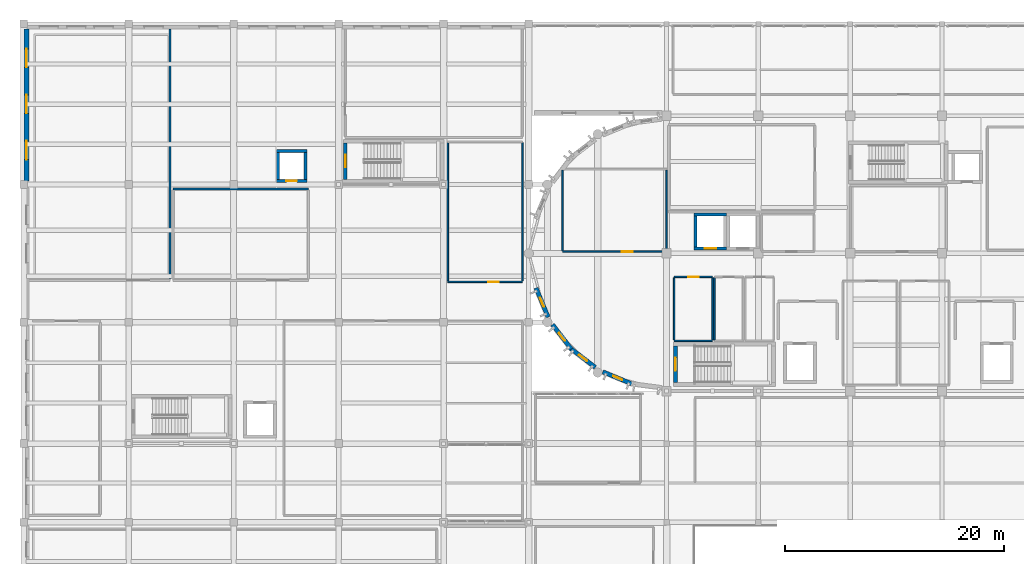
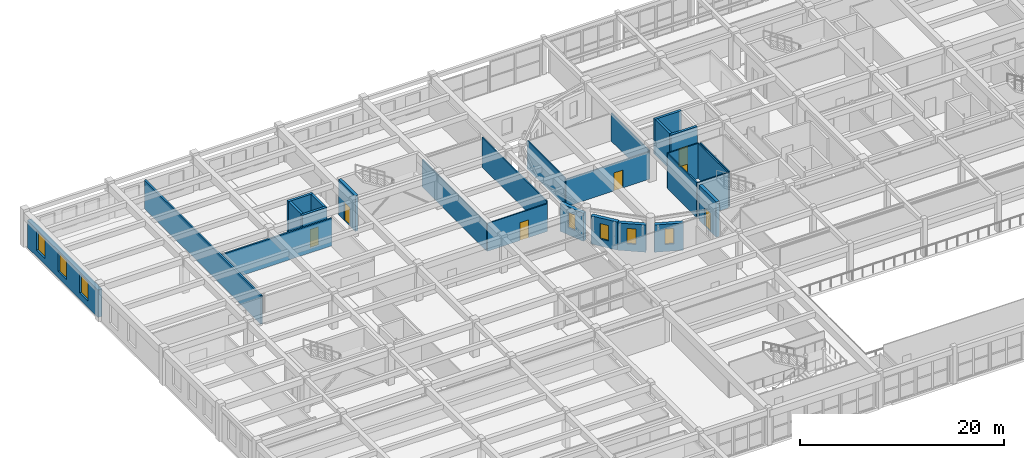
# One storey, part 67 of 92: 27 walls, 7 doors, 7 windows, 14 openings.
"""IFC4 building model written with IfcOpenShell, lengths in metres."""

from ifc_helpers import new_model, si_unit, direction, frame, frame_2d, origin, place, context, subcontext, project, spatial, rectangle, extrude, material, layer, layer_set, type_object, element, fill, save


model = new_model("IFC4")

# Units and contexts
model_context = context("Model", 3, precision=1e-05, world=origin(), true_north=direction((0.0, 1.0)))
body_context = subcontext(model_context, "Body", "Model", "MODEL_VIEW")
ifc_project = project(units=[si_unit("LENGTHUNIT", "METRE"), si_unit("AREAUNIT", "SQUARE_METRE"), si_unit("VOLUMEUNIT", "CUBIC_METRE"), si_unit("PLANEANGLEUNIT", "RADIAN"), si_unit("MASSUNIT", "GRAM", prefix="KILO")], contexts=[model_context])

# Site, building, storey
site_placement = place(None, origin())
site = spatial("IfcSite", under=ifc_project, at=site_placement, CompositionType="ELEMENT")
building_placement = place(site_placement, origin())
building = spatial("IfcBuilding", under=site, at=building_placement, Name="Tarnavel Promenade Courthouse", CompositionType="ELEMENT")
storey_placement = place(building_placement, frame((0.0, 0.0, 5.39990234375)))
storey = spatial("IfcBuildingStorey", under=building, at=storey_placement, Name="L02", CompositionType="ELEMENT", Elevation=5.39990234375)

# Wall
ifc_material_1 = material(Name="Concrete C40/50", Category="concrete")
ifc_layer_1 = layer(ifc_material_1, 0.280029296875)
ifc_layer_set_1 = layer_set([ifc_layer_1], Name="Concrete C40/50")
wall_type_1 = type_object("IfcWallType", Name="Concrete C40/50 WL-SHR-280 (280 mm)", PredefinedType="SHEAR", material=ifc_layer_set_1)
wall_1_placement = place(storey_placement, frame((61.300048828125, 95.360107421875, 0.0), z_axis=(0.0, 0.0, 1.0), x_axis=(1.0, 0.0, 0.0)))
element("IfcWall", 1, at=wall_1_placement, inside=storey, type_object=wall_type_1, Name="L02 L-PUB1 Lift Shaft North Wall", PredefinedType="SHEAR", context=body_context, shape_type="SweptSolid", body=[
    extrude(rectangle(XDim=3.0, YDim=0.280029296875, at=frame_2d((1.5, 0.0))), origin(), (0.0, 0.0, 1.0), 4.239990234375),
])

# Wall, opening, door
wall_2_placement = place(storey_placement, frame((64.300048828125, 92.239990234375, 0.0), z_axis=(0.0, 0.0, 1.0), x_axis=(-1.0, 0.0, 0.0)))
wall_2 = element("IfcWall", 2, at=wall_2_placement, inside=storey, type_object=wall_type_1, Name="L02 L-PUB1 Lift Shaft South Wall", PredefinedType="SHEAR", context=body_context, shape_type="SweptSolid", body=[
    extrude(rectangle(XDim=3.0, YDim=0.280029296875, at=frame_2d((1.5, 0.0))), origin(), (0.0, 0.0, 1.0), 4.239990234375),
])
opening_1_placement = place(wall_2_placement, frame((0.97509765625, 0.0, 0.0)))
opening_1 = element("IfcOpeningElement", 3, at=opening_1_placement, cuts=wall_2, Name="Opening LD-02", PredefinedType="OPENING", context=body_context, shape_type="SweptSolid", body=[
    extrude(rectangle(XDim=1.050048828125, YDim=2.199951171875, at=frame_2d((0.52490234375, 1.10009765625))), frame((0.0, 0.14990234375, 0.0), z_axis=(0.0, -1.0, 0.0), x_axis=(1.0, 0.0, 0.0)), (0.0, 0.0, 1.0), 0.300048828125),
])
ifc_material_2 = material(Name="Brushed Bronze Passenger Lift Landing Sliding Door")
door_type_1 = type_object("IfcDoorType", Name="Brushed Bronze Passenger Lift Landing Sliding Door (LD-PUB-1050x2200)", OperationType="NOTDEFINED", PredefinedType="DOOR", material=ifc_material_2)
door_1_placement = place(opening_1_placement, origin())
door_1 = element("IfcDoor", 4, at=door_1_placement, inside=storey, type_object=door_type_1, Name="L02 L-PUB1 Lift Sliding Landing Door", OperationType="DOUBLE_DOOR_SLIDING", OverallHeight=2.199951171875, OverallWidth=1.050048828125, PredefinedType="DOOR", context=body_context, shape_type="SweptSolid", body=[
    extrude(rectangle(XDim=1.050048828125, YDim=2.199951171875, at=frame_2d((0.52490234375, 1.10009765625))), frame((0.0, 0.02490234375, 0.0), z_axis=(0.0, -1.0, 0.0), x_axis=(1.0, 0.0, 0.0)), (0.0, 0.0, 1.0), 0.050048828125),
])
fill(opening_1, door_1)

# Walls
wall_3_placement = place(storey_placement, frame((61.43994140625, 92.3798828125, 0.0), z_axis=(0.0, 0.0, 1.0), x_axis=(0.0, 1.0, 0.0)))
element("IfcWall", 5, at=wall_3_placement, inside=storey, type_object=wall_type_1, Name="L02 L-PUB1 Lift Shaft West Wall", PredefinedType="SHEAR", context=body_context, shape_type="SweptSolid", body=[
    extrude(rectangle(XDim=2.840087890625, YDim=0.280029296875, at=frame_2d((1.419921875, 0.0))), origin(), (0.0, 0.0, 1.0), 4.239990234375),
])
wall_4_placement = place(storey_placement, frame((23.10009765625, 101.159912109375, 0.0), z_axis=(0.0, 0.0, 1.0), x_axis=(1.0, 0.0, 0.0)))
element("IfcWall", 6, at=wall_4_placement, inside=storey, type_object=wall_type_1, Name="L02 L-JUD2 Lift Shaft North Wall", PredefinedType="SHEAR", context=body_context, shape_type="SweptSolid", body=[
    extrude(rectangle(XDim=2.7998046875, YDim=0.280029296875, at=frame_2d((1.39990234375, 0.0))), origin(), (0.0, 0.0, 1.0), 4.239990234375),
])

# Wall, opening, door
wall_5_placement = place(storey_placement, frame((25.89990234375, 98.43994140625, 0.0), z_axis=(0.0, 0.0, 1.0), x_axis=(-1.0, 0.0, 0.0)))
wall_5 = element("IfcWall", 7, at=wall_5_placement, inside=storey, type_object=wall_type_1, Name="L02 L-JUD2 Lift Shaft South Wall", PredefinedType="SHEAR", context=body_context, shape_type="SweptSolid", body=[
    extrude(rectangle(XDim=2.7998046875, YDim=0.280029296875, at=frame_2d((1.39990234375, 0.0))), origin(), (0.0, 0.0, 1.0), 4.239990234375),
])
opening_2_placement = place(wall_5_placement, frame((0.925048828125, 0.0, 0.0)))
opening_2 = element("IfcOpeningElement", 8, at=opening_2_placement, cuts=wall_5, Name="Opening LD-03", PredefinedType="OPENING", context=body_context, shape_type="SweptSolid", body=[
    extrude(rectangle(XDim=0.949951171875, YDim=2.14990234375, at=frame_2d((0.47509765625, 1.074951171875))), frame((0.0, 0.14990234375, 0.0), z_axis=(0.0, -1.0, 0.0), x_axis=(1.0, 0.0, 0.0)), (0.0, 0.0, 1.0), 0.300048828125),
])
ifc_material_3 = material(Name="Stainless Steel Judicial Lift Landing Sliding Door", Category="steel")
door_type_2 = type_object("IfcDoorType", Name="Stainless Steel Judicial Lift Landing Sliding Door (LD-JUD-0950x2150)", OperationType="NOTDEFINED", PredefinedType="DOOR", material=ifc_material_3)
door_2_placement = place(opening_2_placement, origin())
door_2 = element("IfcDoor", 9, at=door_2_placement, inside=storey, type_object=door_type_2, Name="L02 L-JUD2 Lift Sliding Landing Door", OperationType="DOUBLE_DOOR_SLIDING", OverallHeight=2.14990234375, OverallWidth=0.949951171875, PredefinedType="DOOR", context=body_context, shape_type="SweptSolid", body=[
    extrude(rectangle(XDim=0.949951171875, YDim=2.14990234375, at=frame_2d((0.47509765625, 1.074951171875))), frame((0.0, 0.02490234375, 0.0), z_axis=(0.0, -1.0, 0.0), x_axis=(1.0, 0.0, 0.0)), (0.0, 0.0, 1.0), 0.050048828125),
])
fill(opening_2, door_2)

# Walls
for number, where, z_axis, x_axis, name in (
    (10, (23.239990234375, 98.580078125, 0.0), (0.0, 0.0, 1.0), (0.0, 1.0, 0.0), "L02 L-JUD2 Lift Shaft West Wall"),
    (11, (25.760009765625, 101.02001953125, 0.0), (0.0, 0.0, 1.0), (0.0, -1.0, 0.0), "L02 L-JUD2 Lift Shaft East Wall"),
):
    element("IfcWall", number, at=place(storey_placement, frame(where, z_axis=z_axis, x_axis=x_axis)), inside=storey, type_object=wall_type_1, Name=name, PredefinedType="SHEAR", context=body_context, shape_type="SweptSolid", body=[
        extrude(rectangle(XDim=2.43994140625, YDim=0.280029296875, at=frame_2d((1.219970703125, 0.0))), origin(), (0.0, 0.0, 1.0), 4.239990234375),
    ])

# Wall, opening, door
ifc_layer_2 = layer(ifc_material_1, 0.320068359375)
ifc_layer_set_2 = layer_set([ifc_layer_2], Name="Concrete C40/50")
wall_type_2 = type_object("IfcWallType", Name="Concrete C40/50 WL-SHR-320 (320 mm)", PredefinedType="SHEAR", material=ifc_layer_set_2)
wall_6_placement = place(storey_placement, frame((29.419921875, 98.580078125, 0.0), z_axis=(0.0, 0.0, 1.0), x_axis=(0.0, 1.0, 0.0)))
wall_6 = element("IfcWall", 12, at=wall_6_placement, inside=storey, type_object=wall_type_2, Name="L02 ST-07 Shear Core West Landing Wall", PredefinedType="SHEAR", context=body_context, shape_type="SweptSolid", body=[
    extrude(rectangle(XDim=3.31982421875, YDim=0.320068359375, at=frame_2d((1.659912109375, 0.0))), origin(), (0.0, 0.0, 1.0), 4.239990234375),
])
opening_3_placement = place(wall_6_placement, frame((1.0849609375, 0.0, 0.0)))
opening_3 = element("IfcOpeningElement", 13, at=opening_3_placement, cuts=wall_6, Name="Opening FD-01", PredefinedType="OPENING", context=body_context, shape_type="SweptSolid", body=[
    extrude(rectangle(XDim=1.14990234375, YDim=2.199951171875, at=frame_2d((0.574951171875, 1.10009765625))), frame((0.0, 0.169921875, 0.0), z_axis=(0.0, -1.0, 0.0), x_axis=(1.0, 0.0, 0.0)), (0.0, 0.0, 1.0), 0.340087890625),
])
ifc_material_4 = material(Name="Steel Fire-Rated Stair Core Door", Category="steel")
door_type_3 = type_object("IfcDoorType", Name="Steel Fire-Rated Stair Core Door (DR-ST-1150x2200)", OperationType="NOTDEFINED", PredefinedType="DOOR", material=ifc_material_4)
door_3_placement = place(opening_3_placement, origin())
door_3 = element("IfcDoor", 14, at=door_3_placement, inside=storey, type_object=door_type_3, Name="L02 ST-07 Protected Exit Stair Door", OperationType="SINGLE_SWING_LEFT", OverallHeight=2.199951171875, OverallWidth=1.14990234375, PredefinedType="DOOR", context=body_context, shape_type="SweptSolid", body=[
    extrude(rectangle(XDim=1.14990234375, YDim=2.199951171875, at=frame_2d((0.574951171875, 1.10009765625))), frame((0.0, 0.02490234375, 0.0), z_axis=(0.0, -1.0, 0.0), x_axis=(1.0, 0.0, 0.0)), (0.0, 0.0, 1.0), 0.050048828125),
])
fill(opening_3, door_3)

ifc_layer_3 = layer(ifc_material_1, 0.360107421875)
ifc_layer_set_3 = layer_set([ifc_layer_3], Name="Concrete C40/50")
wall_type_3 = type_object("IfcWallType", Name="Concrete C40/50 WL-SHR-360 (360 mm)", PredefinedType="SHEAR", material=ifc_layer_set_3)
wall_7_placement = place(storey_placement, frame((59.60009765625, 79.97998046875, 0.0), z_axis=(0.0, 0.0, 1.0), x_axis=(0.0, 1.0, 0.0)))
wall_7 = element("IfcWall", 15, at=wall_7_placement, inside=storey, type_object=wall_type_3, Name="L02 ST-01 Shear Core West Landing Wall", PredefinedType="SHEAR", context=body_context, shape_type="SweptSolid", body=[
    extrude(rectangle(XDim=3.360107421875, YDim=0.360107421875, at=frame_2d((1.68017578125, 0.0))), origin(), (0.0, 0.0, 1.0), 4.239990234375),
])
opening_4_placement = place(wall_7_placement, frame((1.080078125, 0.0, 0.0)))
opening_4 = element("IfcOpeningElement", 16, at=opening_4_placement, cuts=wall_7, Name="Opening FD-02", PredefinedType="OPENING", context=body_context, shape_type="SweptSolid", body=[
    extrude(rectangle(XDim=1.199951171875, YDim=2.199951171875, at=frame_2d((0.60009765625, 1.10009765625))), frame((0.0, 0.18994140625, 0.0), z_axis=(0.0, -1.0, 0.0), x_axis=(1.0, 0.0, 0.0)), (0.0, 0.0, 1.0), 0.380126953125),
])
ifc_material_5 = material(Name="Steel Fire-Rated Firefighting Stair Door", Category="steel")
door_type_4 = type_object("IfcDoorType", Name="Steel Fire-Rated Firefighting Stair Door (DR-ST-1200x2200)", OperationType="NOTDEFINED", PredefinedType="DOOR", material=ifc_material_5)
door_4_placement = place(opening_4_placement, origin())
door_4 = element("IfcDoor", 17, at=door_4_placement, inside=storey, type_object=door_type_4, Name="L02 ST-01 Protected Exit Stair Door", OperationType="SINGLE_SWING_RIGHT", OverallHeight=2.199951171875, OverallWidth=1.199951171875, PredefinedType="DOOR", context=body_context, shape_type="SweptSolid", body=[
    extrude(rectangle(XDim=1.199951171875, YDim=2.199951171875, at=frame_2d((0.60009765625, 1.10009765625))), frame((0.0, 0.02490234375, 0.0), z_axis=(0.0, -1.0, 0.0), x_axis=(1.0, 0.0, 0.0)), (0.0, 0.0, 1.0), 0.050048828125),
])
fill(opening_4, door_4)

# Walls
ifc_material_6 = material(Name="Double-Stud Acoustic Courtroom Partition Assembly", Category="gypsum")
ifc_layer_4 = layer(ifc_material_6, 0.18505859375)
ifc_layer_set_4 = layer_set([ifc_layer_4], Name="Double-Stud Acoustic Courtroom Partition Assembly")
wall_type_4 = type_object("IfcWallType", Name="Double-Stud Acoustic Courtroom Partition Assembly WL-CRT-185 (185 mm)", PredefinedType="PARTITIONING", material=ifc_layer_set_4)
wall_8_placement = place(storey_placement, frame((13.360107421875, 112.325927734375, 0.0), z_axis=(0.0, 0.0, 1.0), x_axis=(0.0, -1.0, 0.0)))
element("IfcWall", 18, at=wall_8_placement, inside=storey, type_object=wall_type_4, Name="L02 Civil Trial Courtroom A Partition 0279", PredefinedType="PARTITIONING", context=body_context, shape_type="SweptSolid", body=[
    extrude(rectangle(XDim=22.883544921875, YDim=0.18505859375, at=frame_2d((11.44189453125, 0.0))), origin(), (0.0, 0.0, 1.0), 3.43017578125),
])
wall_9_placement = place(storey_placement, frame((13.639892578125, 97.699951171875, 0.0), z_axis=(0.0, 0.0, 1.0), x_axis=(1.0, 0.0, 0.0)))
element("IfcWall", 19, at=wall_9_placement, inside=storey, type_object=wall_type_4, Name="L02 Civil Trial Courtroom B Partition 0280", PredefinedType="PARTITIONING", context=body_context, shape_type="SweptSolid", body=[
    extrude(rectangle(XDim=12.420166015625, YDim=0.18505859375, at=frame_2d((6.2099609375, 0.0))), origin(), (0.0, 0.0, 1.0), 3.280029296875),
])

# Wall, openings, windows
ifc_material_7 = material(Name="Limestone Ashlar Faced Insulated Brick Masonry", Category="masonry")
ifc_layer_5 = layer(ifc_material_7, 0.47998046875)
ifc_layer_set_5 = layer_set([ifc_layer_5], Name="Limestone Ashlar Faced Insulated Brick Masonry")
wall_type_5 = type_object("IfcWallType", Name="Limestone Ashlar Faced Insulated Brick Masonry WL-EXT-480 (480 mm)", PredefinedType="STANDARD", material=ifc_layer_set_5)
wall_10_placement = place(storey_placement, frame((0.239990234375, 98.43701171875, 0.0), z_axis=(0.0, 0.0, 1.0), x_axis=(0.0, 1.0, 0.0)))
wall_10 = element("IfcWall", 20, at=wall_10_placement, inside=storey, type_object=wall_type_5, Name="L02 Trial Wing West Ashlar Facade 0289", PredefinedType="STANDARD", context=body_context, shape_type="SweptSolid", body=[
    extrude(rectangle(XDim=13.883056640625, YDim=0.47998046875, at=frame_2d((6.94140625, 0.0))), origin(), (0.0, 0.0, 1.0), 3.280029296875),
])
opening_5_placement = place(wall_10_placement, frame((1.94970703125, 0.0, 0.760009765625)))
opening_5 = element("IfcOpeningElement", 21, at=opening_5_placement, cuts=wall_10, Name="Opening W-01", PredefinedType="OPENING", context=body_context, shape_type="SweptSolid", body=[
    extrude(rectangle(XDim=1.699951171875, YDim=2.300048828125, at=frame_2d((0.85009765625, 1.14990234375))), frame((0.0, 0.25, 0.0), z_axis=(0.0, -1.0, 0.0), x_axis=(1.0, 0.0, 0.0)), (0.0, 0.0, 1.0), 0.5),
])
opening_6_placement = place(wall_10_placement, frame((6.1630859375, 0.0, 0.760009765625)))
opening_6 = element("IfcOpeningElement", 22, at=opening_6_placement, cuts=wall_10, Name="Opening W-01", PredefinedType="OPENING", context=body_context, shape_type="SweptSolid", body=[
    extrude(rectangle(XDim=1.699951171875, YDim=2.300048828125, at=frame_2d((0.85009765625, 1.14990234375))), frame((0.0, 0.25, 0.0), z_axis=(0.0, -1.0, 0.0), x_axis=(1.0, 0.0, 0.0)), (0.0, 0.0, 1.0), 0.5),
])
opening_7_placement = place(wall_10_placement, frame((10.376220703125, 0.0, 0.760009765625)))
opening_7 = element("IfcOpeningElement", 23, at=opening_7_placement, cuts=wall_10, Name="Opening W-01", PredefinedType="OPENING", context=body_context, shape_type="SweptSolid", body=[
    extrude(rectangle(XDim=1.699951171875, YDim=2.300048828125, at=frame_2d((0.85009765625, 1.14990234375))), frame((0.0, 0.25, 0.0), z_axis=(0.0, -1.0, 0.0), x_axis=(1.0, 0.0, 0.0)), (0.0, 0.0, 1.0), 0.5),
])
ifc_material_8 = material(Name="Triple Low-E Glazed Bronze-Clad Window Assembly")
window_type_1 = type_object("IfcWindowType", Name="Triple-Glazed Bronze-Clad Timber-Aluminium WIN-CRT-1700x2300", PartitioningType="SINGLE_PANEL", PredefinedType="WINDOW", material=ifc_material_8)
window_1_placement = place(opening_5_placement, origin())
window_1 = element("IfcWindow", 24, at=window_1_placement, inside=storey, type_object=window_type_1, Name="L02 Exterior Window 0271", OverallHeight=2.300048828125, OverallWidth=1.699951171875, PartitioningType="SINGLE_PANEL", PredefinedType="WINDOW", context=body_context, shape_type="SweptSolid", body=[
    extrude(rectangle(XDim=1.699951171875, YDim=2.300048828125, at=frame_2d((0.85009765625, 1.14990234375))), frame((0.0, 0.030029296875, 0.0), z_axis=(0.0, -1.0, 0.0), x_axis=(1.0, 0.0, 0.0)), (0.0, 0.0, 1.0), 0.06005859375),
])
fill(opening_5, window_1)
window_2_placement = place(opening_6_placement, origin())
window_2 = element("IfcWindow", 25, at=window_2_placement, inside=storey, type_object=window_type_1, Name="L02 Exterior Window 0272", OverallHeight=2.300048828125, OverallWidth=1.699951171875, PartitioningType="SINGLE_PANEL", PredefinedType="WINDOW", context=body_context, shape_type="SweptSolid", body=[
    extrude(rectangle(XDim=1.699951171875, YDim=2.300048828125, at=frame_2d((0.85009765625, 1.14990234375))), frame((0.0, 0.030029296875, 0.0), z_axis=(0.0, -1.0, 0.0), x_axis=(1.0, 0.0, 0.0)), (0.0, 0.0, 1.0), 0.06005859375),
])
fill(opening_6, window_2)
window_3_placement = place(opening_7_placement, origin())
window_3 = element("IfcWindow", 26, at=window_3_placement, inside=storey, type_object=window_type_1, Name="L02 Exterior Window 0273", OverallHeight=2.300048828125, OverallWidth=1.699951171875, PartitioningType="SINGLE_PANEL", PredefinedType="WINDOW", context=body_context, shape_type="SweptSolid", body=[
    extrude(rectangle(XDim=1.699951171875, YDim=2.300048828125, at=frame_2d((0.85009765625, 1.14990234375))), frame((0.0, 0.030029296875, 0.0), z_axis=(0.0, -1.0, 0.0), x_axis=(1.0, 0.0, 0.0)), (0.0, 0.0, 1.0), 0.06005859375),
])
fill(opening_7, window_3)

# Wall, opening, door
ifc_material_9 = material(Name="Metal-Stud Acoustic Gypsum Partition", Category="gypsum")
ifc_layer_6 = layer(ifc_material_9, 0.135009765625)
ifc_layer_set_6 = layer_set([ifc_layer_6], Name="Metal-Stud Acoustic Gypsum Partition")
wall_type_6 = type_object("IfcWallType", Name="Metal-Stud Acoustic Gypsum Partition WL-OFF-135 (135 mm)", PredefinedType="PARTITIONING", material=ifc_layer_set_6)
wall_11_placement = place(storey_placement, frame((59.5, 89.64990234375, 0.0), z_axis=(0.0, 0.0, 1.0), x_axis=(1.0, 0.0, 0.0)))
wall_11 = element("IfcWall", 27, at=wall_11_placement, inside=storey, type_object=wall_type_6, Name="L02 L02 Bailiffs' Duty Room Partition 0270", PredefinedType="PARTITIONING", context=body_context, shape_type="SweptSolid", body=[
    extrude(rectangle(XDim=3.5, YDim=0.135009765625, at=frame_2d((1.75, 0.0))), origin(), (0.0, 0.0, 1.0), 4.22509765625),
])
opening_8_placement = place(wall_11_placement, frame((1.27490234375, 0.0, 0.0)))
opening_8 = element("IfcOpeningElement", 28, at=opening_8_placement, cuts=wall_11, Name="Opening ID-06", PredefinedType="OPENING", context=body_context, shape_type="SweptSolid", body=[
    extrude(rectangle(XDim=0.949951171875, YDim=2.14990234375, at=frame_2d((0.47509765625, 1.074951171875))), frame((0.0, 0.077392578125, 0.0), z_axis=(0.0, -1.0, 0.0), x_axis=(1.0, 0.0, 0.0)), (0.0, 0.0, 1.0), 0.155029296875),
])
ifc_material_10 = material(Name="Acoustic Timber Veneer Office Door", Category="wood")
door_type_5 = type_object("IfcDoorType", Name="Acoustic Timber Veneer Office Door (DR-OFF-0950x2150)", OperationType="NOTDEFINED", PredefinedType="DOOR", material=ifc_material_10)
door_5_placement = place(opening_8_placement, origin())
door_5 = element("IfcDoor", 29, at=door_5_placement, inside=storey, type_object=door_type_5, Name="L02 L02 Bailiffs' Duty Room Door 0077", OperationType="SINGLE_SWING_LEFT", OverallHeight=2.14990234375, OverallWidth=0.949951171875, PredefinedType="DOOR", context=body_context, shape_type="SweptSolid", body=[
    extrude(rectangle(XDim=0.949951171875, YDim=2.14990234375, at=frame_2d((0.47509765625, 1.074951171875))), frame((0.0, 0.02490234375, 0.0), z_axis=(0.0, -1.0, 0.0), x_axis=(1.0, 0.0, 0.0)), (0.0, 0.0, 1.0), 0.050048828125),
])
fill(opening_8, door_5)

# Walls
wall_12_placement = place(storey_placement, frame((63.0, 83.800048828125, 0.0), z_axis=(0.0, 0.0, 1.0), x_axis=(-1.0, 0.0, 0.0)))
element("IfcWall", 30, at=wall_12_placement, inside=storey, type_object=wall_type_6, Name="L02 L02 Bailiffs' Duty Room Partition 0271", PredefinedType="PARTITIONING", context=body_context, shape_type="SweptSolid", body=[
    extrude(rectangle(XDim=3.5, YDim=0.135009765625, at=frame_2d((1.75, 0.0))), origin(), (0.0, 0.0, 1.0), 4.22509765625),
])
for number, where, z_axis, x_axis, name in (
    (31, (59.5, 83.87744140625, 0.0), (0.0, 0.0, 1.0), (0.0, 1.0, 0.0), "L02 L02 Bailiffs' Duty Room Partition 0272"),
    (32, (63.0, 89.572509765625, 0.0), (0.0, 0.0, 1.0), (0.0, -1.0, 0.0), "L02 L02 Bailiffs' Duty Room Partition 0273"),
):
    element("IfcWall", number, at=place(storey_placement, frame(where, z_axis=z_axis, x_axis=x_axis)), inside=storey, type_object=wall_type_6, Name=name, PredefinedType="PARTITIONING", context=body_context, shape_type="SweptSolid", body=[
        extrude(rectangle(XDim=5.695068359375, YDim=0.135009765625, at=frame_2d((2.84765625, 0.0))), origin(), (0.0, 0.0, 1.0), 4.22509765625),
    ])

# Wall, opening, door
wall_13_placement = place(storey_placement, frame((45.60009765625, 89.199951171875, 0.0), z_axis=(0.0, 0.0, 1.0), x_axis=(-1.0, 0.0, 0.0)))
wall_13 = element("IfcWall", 33, at=wall_13_placement, inside=storey, type_object=wall_type_6, Name="L02 L02 Witness Waiting Room Partition 0288", PredefinedType="PARTITIONING", context=body_context, shape_type="SweptSolid", body=[
    extrude(rectangle(XDim=6.800048828125, YDim=0.135009765625, at=frame_2d((3.39990234375, 0.0))), origin(), (0.0, 0.0, 1.0), 3.330078125),
])
opening_9_placement = place(wall_13_placement, frame((2.152587890625, 0.0, 0.0)))
opening_9 = element("IfcOpeningElement", 34, at=opening_9_placement, cuts=wall_13, Name="Opening ID-06", PredefinedType="OPENING", context=body_context, shape_type="SweptSolid", body=[
    extrude(rectangle(XDim=0.949951171875, YDim=2.14990234375, at=frame_2d((0.47509765625, 1.074951171875))), frame((0.0, 0.077392578125, 0.0), z_axis=(0.0, -1.0, 0.0), x_axis=(1.0, 0.0, 0.0)), (0.0, 0.0, 1.0), 0.155029296875),
])
door_6_placement = place(opening_9_placement, origin())
door_6 = element("IfcDoor", 35, at=door_6_placement, inside=storey, type_object=door_type_5, Name="L02 L02 Witness Waiting Room Door 0082", OperationType="SINGLE_SWING_RIGHT", OverallHeight=2.14990234375, OverallWidth=0.949951171875, PredefinedType="DOOR", context=body_context, shape_type="SweptSolid", body=[
    extrude(rectangle(XDim=0.949951171875, YDim=2.14990234375, at=frame_2d((0.47509765625, 1.074951171875))), frame((0.0, 0.02490234375, 0.0), z_axis=(0.0, -1.0, 0.0), x_axis=(1.0, 0.0, 0.0)), (0.0, 0.0, 1.0), 0.050048828125),
])
fill(opening_9, door_6)

# Walls
wall_14_placement = place(storey_placement, frame((38.800048828125, 89.277587890625, 0.0), z_axis=(0.0, 0.0, 1.0), x_axis=(0.0, 1.0, 0.0)))
element("IfcWall", 36, at=wall_14_placement, inside=storey, type_object=wall_type_6, Name="L02 L02 Witness Waiting Room Partition 0289", PredefinedType="PARTITIONING", context=body_context, shape_type="SweptSolid", body=[
    extrude(rectangle(XDim=12.64501953125, YDim=0.135009765625, at=frame_2d((6.322509765625, 0.0))), origin(), (0.0, 0.0, 1.0), 3.280029296875),
])
wall_15_placement = place(storey_placement, frame((45.60009765625, 101.922607421875, 0.0), z_axis=(0.0, 0.0, 1.0), x_axis=(0.0, -1.0, 0.0)))
element("IfcWall", 37, at=wall_15_placement, inside=storey, type_object=wall_type_6, Name="L02 L02 Witness Waiting Room Partition 0290", PredefinedType="PARTITIONING", context=body_context, shape_type="SweptSolid", body=[
    extrude(rectangle(XDim=12.64501953125, YDim=0.135009765625, at=frame_2d((6.322509765625, 0.0))), origin(), (0.0, 0.0, 1.0), 3.570068359375),
])

# Wall, opening, door
wall_16_placement = place(storey_placement, frame((58.800048828125, 91.949951171875, 0.0), z_axis=(0.0, 0.0, 1.0), x_axis=(-1.0, 0.0, 0.0)))
wall_16 = element("IfcWall", 38, at=wall_16_placement, inside=storey, type_object=wall_type_6, Name="L02 L02 West Drum Rotunda Meeting North Partition 0395", PredefinedType="PARTITIONING", context=body_context, shape_type="SweptSolid", body=[
    extrude(rectangle(XDim=9.5, YDim=0.135009765625, at=frame_2d((4.75, 0.0))), origin(), (0.0, 0.0, 1.0), 3.27001953125),
])
opening_10_placement = place(wall_16_placement, frame((3.072998046875, 0.0, 0.0)))
opening_10 = element("IfcOpeningElement", 39, at=opening_10_placement, cuts=wall_16, Name="Opening ID-07", PredefinedType="OPENING", context=body_context, shape_type="SweptSolid", body=[
    extrude(rectangle(XDim=1.02001953125, YDim=2.14990234375, at=frame_2d((0.510009765625, 1.074951171875))), frame((0.0, 0.077392578125, 0.0), z_axis=(0.0, -1.0, 0.0), x_axis=(1.0, 0.0, 0.0)), (0.0, 0.0, 1.0), 0.155029296875),
])
ifc_material_11 = material(Name="Acoustic Timber Seminar Room Door", Category="wood")
door_type_6 = type_object("IfcDoorType", Name="Acoustic Timber Seminar Room Door (DR-MTG-1020x2150)", OperationType="NOTDEFINED", PredefinedType="DOOR", material=ifc_material_11)
door_7_placement = place(opening_10_placement, origin())
door_7 = element("IfcDoor", 40, at=door_7_placement, inside=storey, type_object=door_type_6, Name="L02 L02 West Drum Rotunda Meeting North Door 0113", OperationType="SINGLE_SWING_LEFT", OverallHeight=2.14990234375, OverallWidth=1.02001953125, PredefinedType="DOOR", context=body_context, shape_type="SweptSolid", body=[
    extrude(rectangle(XDim=1.02001953125, YDim=2.14990234375, at=frame_2d((0.510009765625, 1.074951171875))), frame((0.0, 0.02490234375, 0.0), z_axis=(0.0, -1.0, 0.0), x_axis=(1.0, 0.0, 0.0)), (0.0, 0.0, 1.0), 0.050048828125),
])
fill(opening_10, door_7)

# Walls
for number, where, z_axis, x_axis, name in (
    (41, (49.300048828125, 92.027587890625, 0.0), (0.0, 0.0, 1.0), (0.0, 1.0, 0.0), "L02 L02 West Drum Rotunda Meeting North Partition 0396"),
    (42, (58.800048828125, 99.422607421875, 0.0), (0.0, 0.0, 1.0), (0.0, -1.0, 0.0), "L02 L02 West Drum Rotunda Meeting North Partition 0397"),
):
    element("IfcWall", number, at=place(storey_placement, frame(where, z_axis=z_axis, x_axis=x_axis)), inside=storey, type_object=wall_type_6, Name=name, PredefinedType="PARTITIONING", context=body_context, shape_type="SweptSolid", body=[
        extrude(rectangle(XDim=7.39501953125, YDim=0.135009765625, at=frame_2d((3.697509765625, 0.0))), origin(), (0.0, 0.0, 1.0), 3.3701171875),
    ])
ifc_material_12 = material(Name="Moisture-Resistant Tile-Backed Stud Partition", Category="gypsum")
ifc_layer_7 = layer(ifc_material_12, 0.125)
ifc_layer_set_7 = layer_set([ifc_layer_7], Name="Moisture-Resistant Tile-Backed Stud Partition")
wall_type_7 = type_object("IfcWallType", Name="Moisture-Resistant Tile-Backed Stud Partition WL-WET-125 (125 mm)", PredefinedType="PARTITIONING", material=ifc_layer_set_7)
wall_17_placement = place(storey_placement, frame((63.199951171875, 83.87255859375, 0.0), z_axis=(0.0, 0.0, 1.0), x_axis=(0.0, 1.0, 0.0)))
element("IfcWall", 43, at=wall_17_placement, inside=storey, type_object=wall_type_7, Name="L02 Public WC Partition 0256", PredefinedType="PARTITIONING", context=body_context, shape_type="SweptSolid", body=[
    extrude(rectangle(XDim=5.704833984375, YDim=0.125, at=frame_2d((2.8525390625, 0.0))), origin(), (0.0, 0.0, 1.0), 4.22509765625),
])

# Wall, opening, window
ifc_material_13 = material(Name="Patinated Copper-Bronze Insulated Drum Wall Assembly", Category="masonry")
ifc_layer_8 = layer(ifc_material_13, 0.39501953125)
ifc_layer_set_8 = layer_set([ifc_layer_8], Name="Patinated Copper-Bronze Insulated Drum Wall Assembly")
wall_type_8 = type_object("IfcWallType", Name="Patinated Copper-Bronze Insulated Drum Wall Assembly WL-DRUM-395 (395 mm)", PredefinedType="ELEMENTEDWALL", material=ifc_layer_set_8)
wall_18_placement = place(storey_placement, frame((46.8603515625, 88.634521484375, 0.0), z_axis=(0.0, 0.0, 1.0), x_axis=(0.382642547526, -0.923896466506, 0.0)))
wall_18 = element("IfcWall", 44, at=wall_18_placement, inside=storey, type_object=wall_type_8, Name="L02 W Copper Drum Chord Wall 08 0047", PredefinedType="ELEMENTEDWALL", context=body_context, shape_type="SweptSolid", body=[
    extrude(rectangle(XDim=2.892333984375, YDim=0.39501953125, at=frame_2d((1.4462890625, 0.0))), origin(), (0.0, 0.0, 1.0), 3.3701171875),
])
opening_11_placement = place(wall_18_placement, frame((0.962158203125, 0.0, 0.85009765625)))
opening_11 = element("IfcOpeningElement", 45, at=opening_11_placement, cuts=wall_18, Name="Opening W-08", PredefinedType="OPENING", context=body_context, shape_type="SweptSolid", body=[
    extrude(rectangle(XDim=0.89990234375, YDim=1.85009765625, at=frame_2d((0.449951171875, 0.925048828125))), frame((0.0, 0.20751953125, 0.0), z_axis=(0.0, -1.0, 0.0), x_axis=(1.0, 0.0, 0.0)), (0.0, 0.0, 1.0), 0.4150390625),
])
window_type_2 = type_object("IfcWindowType", Name="Triple-Glazed Bronze-Clad Timber-Aluminium WIN-DRM-0900x1850", PartitioningType="SINGLE_PANEL", PredefinedType="WINDOW", material=ifc_material_8)
window_4_placement = place(opening_11_placement, origin())
window_4 = element("IfcWindow", 46, at=window_4_placement, inside=storey, type_object=window_type_2, Name="L02 Exterior Window 0024", OverallHeight=1.85009765625, OverallWidth=0.89990234375, PartitioningType="SINGLE_PANEL", PredefinedType="WINDOW", context=body_context, shape_type="SweptSolid", body=[
    extrude(rectangle(XDim=0.89990234375, YDim=1.85009765625, at=frame_2d((0.449951171875, 0.925048828125))), frame((0.0, 0.030029296875, 0.0), z_axis=(0.0, -1.0, 0.0), x_axis=(1.0, 0.0, 0.0)), (0.0, 0.0, 1.0), 0.06005859375),
])
fill(opening_11, window_4)

wall_19_placement = place(storey_placement, frame((48.369384765625, 85.283203125, 0.0), z_axis=(0.0, 0.0, 1.0), x_axis=(0.608787157184, -0.793333597705, 0.0)))
wall_19 = element("IfcWall", 47, at=wall_19_placement, inside=storey, type_object=wall_type_8, Name="L02 W Copper Drum Chord Wall 09 0048", PredefinedType="ELEMENTEDWALL", context=body_context, shape_type="SweptSolid", body=[
    extrude(rectangle(XDim=2.824462890625, YDim=0.39501953125, at=frame_2d((1.412109375, 0.0))), origin(), (0.0, 0.0, 1.0), 3.3701171875),
])
opening_12_placement = place(wall_19_placement, frame((0.962158203125, 0.0, 0.85009765625)))
opening_12 = element("IfcOpeningElement", 48, at=opening_12_placement, cuts=wall_19, Name="Opening W-08", PredefinedType="OPENING", context=body_context, shape_type="SweptSolid", body=[
    extrude(rectangle(XDim=0.89990234375, YDim=1.85009765625, at=frame_2d((0.449951171875, 0.925048828125))), frame((0.0, 0.20751953125, 0.0), z_axis=(0.0, -1.0, 0.0), x_axis=(1.0, 0.0, 0.0)), (0.0, 0.0, 1.0), 0.4150390625),
])
window_5_placement = place(opening_12_placement, origin())
window_5 = element("IfcWindow", 49, at=window_5_placement, inside=storey, type_object=window_type_2, Name="L02 Exterior Window 0025", OverallHeight=1.85009765625, OverallWidth=0.89990234375, PartitioningType="SINGLE_PANEL", PredefinedType="WINDOW", context=body_context, shape_type="SweptSolid", body=[
    extrude(rectangle(XDim=0.89990234375, YDim=1.85009765625, at=frame_2d((0.449951171875, 0.925048828125))), frame((0.0, 0.030029296875, 0.0), z_axis=(0.0, -1.0, 0.0), x_axis=(1.0, 0.0, 0.0)), (0.0, 0.0, 1.0), 0.06005859375),
])
fill(opening_12, window_5)

wall_20_placement = place(storey_placement, frame((50.042724609375, 83.0888671875, 0.0), z_axis=(0.0, 0.0, 1.0), x_axis=(0.793301558375, -0.608828906574, 0.0)))
wall_20 = element("IfcWall", 50, at=wall_20_placement, inside=storey, type_object=wall_type_8, Name="L02 W Copper Drum Chord Wall 10 0049", PredefinedType="ELEMENTEDWALL", context=body_context, shape_type="SweptSolid", body=[
    extrude(rectangle(XDim=2.82421875, YDim=0.39501953125, at=frame_2d((1.412109375, 0.0))), origin(), (0.0, 0.0, 1.0), 3.27001953125),
])
opening_13_placement = place(wall_20_placement, frame((0.962158203125, 0.0, 0.85009765625)))
opening_13 = element("IfcOpeningElement", 51, at=opening_13_placement, cuts=wall_20, Name="Opening W-08", PredefinedType="OPENING", context=body_context, shape_type="SweptSolid", body=[
    extrude(rectangle(XDim=0.89990234375, YDim=1.85009765625, at=frame_2d((0.449951171875, 0.925048828125))), frame((0.0, 0.20751953125, 0.0), z_axis=(0.0, -1.0, 0.0), x_axis=(1.0, 0.0, 0.0)), (0.0, 0.0, 1.0), 0.4150390625),
])
window_6_placement = place(opening_13_placement, origin())
window_6 = element("IfcWindow", 52, at=window_6_placement, inside=storey, type_object=window_type_2, Name="L02 Exterior Window 0026", OverallHeight=1.85009765625, OverallWidth=0.89990234375, PartitioningType="SINGLE_PANEL", PredefinedType="WINDOW", context=body_context, shape_type="SweptSolid", body=[
    extrude(rectangle(XDim=0.89990234375, YDim=1.85009765625, at=frame_2d((0.449951171875, 0.925048828125))), frame((0.0, 0.030029296875, 0.0), z_axis=(0.0, -1.0, 0.0), x_axis=(1.0, 0.0, 0.0)), (0.0, 0.0, 1.0), 0.06005859375),
])
fill(opening_13, window_6)

wall_21_placement = place(storey_placement, frame((52.96240234375, 80.967041015625, 0.0), z_axis=(0.0, 0.0, 1.0), x_axis=(0.923896466506, -0.382642547526, 0.0)))
wall_21 = element("IfcWall", 53, at=wall_21_placement, inside=storey, type_object=wall_type_8, Name="L02 W Copper Drum Chord Wall 11 0050", PredefinedType="ELEMENTEDWALL", context=body_context, shape_type="SweptSolid", body=[
    extrude(rectangle(XDim=2.892333984375, YDim=0.39501953125, at=frame_2d((1.4462890625, 0.0))), origin(), (0.0, 0.0, 1.0), 3.27001953125),
])
opening_14_placement = place(wall_21_placement, frame((1.030029296875, 0.0, 0.85009765625)))
opening_14 = element("IfcOpeningElement", 54, at=opening_14_placement, cuts=wall_21, Name="Opening W-08", PredefinedType="OPENING", context=body_context, shape_type="SweptSolid", body=[
    extrude(rectangle(XDim=0.89990234375, YDim=1.85009765625, at=frame_2d((0.449951171875, 0.925048828125))), frame((0.0, 0.20751953125, 0.0), z_axis=(0.0, -1.0, 0.0), x_axis=(1.0, 0.0, 0.0)), (0.0, 0.0, 1.0), 0.4150390625),
])
window_7_placement = place(opening_14_placement, origin())
window_7 = element("IfcWindow", 55, at=window_7_placement, inside=storey, type_object=window_type_2, Name="L02 Exterior Window 0027", OverallHeight=1.85009765625, OverallWidth=0.89990234375, PartitioningType="SINGLE_PANEL", PredefinedType="WINDOW", context=body_context, shape_type="SweptSolid", body=[
    extrude(rectangle(XDim=0.89990234375, YDim=1.85009765625, at=frame_2d((0.449951171875, 0.925048828125))), frame((0.0, 0.030029296875, 0.0), z_axis=(0.0, -1.0, 0.0), x_axis=(1.0, 0.0, 0.0)), (0.0, 0.0, 1.0), 0.06005859375),
])
fill(opening_14, window_7)

save(model, "model.ifc")
